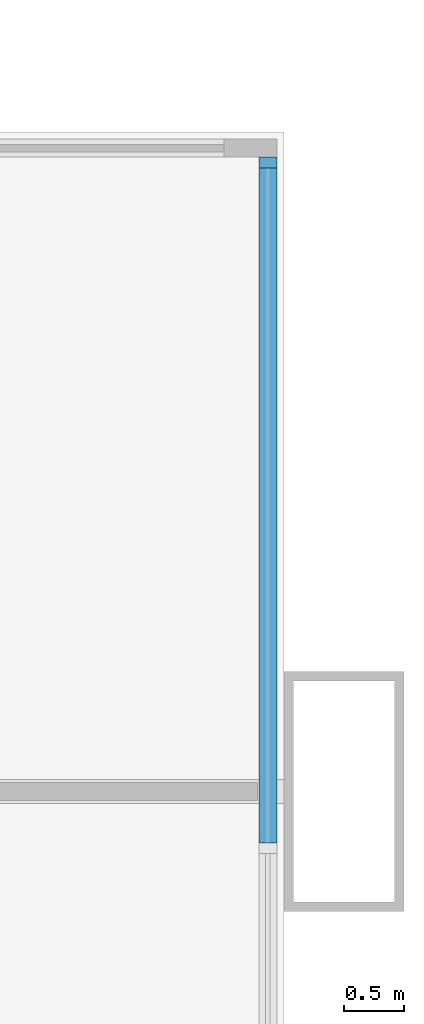
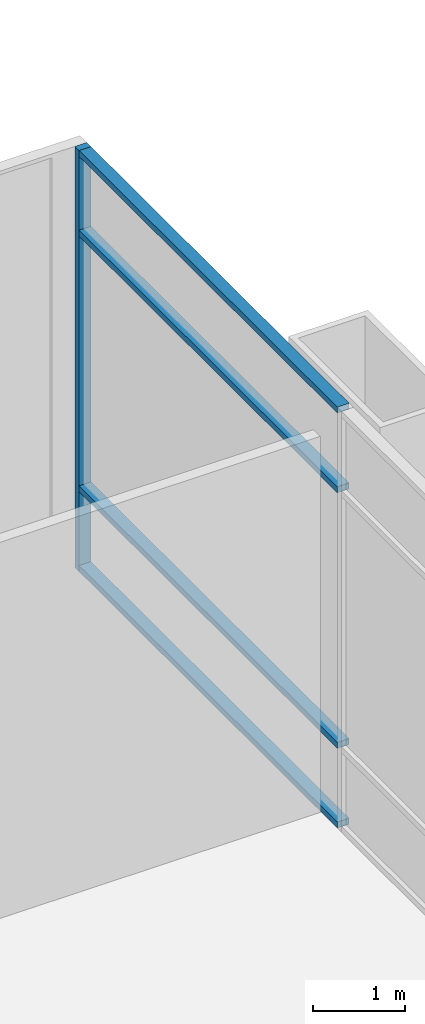
# One storey, part 14 of 25: 5 members, 1 element without a shape of its own.
"""IFC4 building model written with IfcOpenShell, lengths in metres."""

from ifc_helpers import new_model, si_unit, direction, frame, origin, origin_2d, place, context, subcontext, project, spatial, rectangle, extrude, material, material_profile, profile_set, type_object, element, aggregate, save


model = new_model("IFC4")

# Units and contexts
model_context = context("Model", 3, precision=1e-05, world=origin(), true_north=direction((0.0, 1.0)))
body_context = subcontext(model_context, "Body", "Model", "MODEL_VIEW")
ifc_project = project(units=[si_unit("LENGTHUNIT", "METRE"), si_unit("AREAUNIT", "SQUARE_METRE"), si_unit("VOLUMEUNIT", "CUBIC_METRE"), si_unit("PLANEANGLEUNIT", "RADIAN"), si_unit("MASSUNIT", "GRAM", prefix="KILO")], contexts=[model_context])

# Site, building, storey
site_placement = place(None, origin())
site = spatial("IfcSite", under=ifc_project, at=site_placement, CompositionType="ELEMENT")
building_placement = place(site_placement, origin())
building = spatial("IfcBuilding", under=site, at=building_placement, Name="Kitamizu Gate Tower and Museum", CompositionType="ELEMENT")
storey_placement = place(building_placement, frame((0.0, 0.0, 12.0)))
storey = spatial("IfcBuildingStorey", under=building, at=storey_placement, Name="L02", CompositionType="ELEMENT", Elevation=12.0)

# Curtain wall, members
ifc_material_1 = material(Name="Bronze anodised aluminium frame, tinted triple glazing", Category="aluminium")
curtain_wall_type = type_object("IfcCurtainWallType", Name="CURTAIN WALL TYPE A PODIUM", PredefinedType="NOTDEFINED", material=ifc_material_1)
curtain_wall_placement = place(storey_placement, origin())
curtain_wall = element("IfcCurtainWall", 1, at=curtain_wall_placement, inside=storey, type_object=curtain_wall_type, Name="Curtain wall CW-A east L02", PredefinedType="NOTDEFINED")
ifc_material_2 = material(Name="Bronze anodised aluminium", Category="aluminium")
ifc_material_profile_1 = material_profile(ifc_material_2, rectangle(XDim=0.090087890625, YDim=0.14990234375, at=origin_2d()), Name="AL 90X150")
ifc_profile_set_1 = profile_set([ifc_material_profile_1], Name="Bronze anodised aluminium")
member_type_1 = type_object("IfcMemberType", Name="MULLION 90 X 150 TYPE A", PredefinedType="MULLION", material=ifc_profile_set_1)
member_1_placement = place(storey_placement, frame((71.364990234375, 41.2451171875, 0.0), z_axis=(0.0, 0.0, 1.0), x_axis=(0.0, 1.0, 0.0)))
member_1 = element("IfcMember", 2, at=member_1_placement, type_object=member_type_1, Name="CW-A mullion 7", PredefinedType="MULLION", context=body_context, shape_type="SweptSolid", body=[
    extrude(rectangle(XDim=0.090087890625, YDim=0.14990234375, at=origin_2d()), origin(), (0.0, 0.0, 1.0), 5.60009765625),
])
ifc_material_3 = material(Name="Bronze anodised aluminium", Category="aluminium")
ifc_material_profile_2 = material_profile(ifc_material_3, rectangle(XDim=0.14990234375, YDim=0.080078125, at=origin_2d()), Name="AL 80X150")
ifc_profile_set_2 = profile_set([ifc_material_profile_2], Name="Bronze anodised aluminium")
member_type_2 = type_object("IfcMemberType", Name="TRANSOM 80 X 150 TYPE A", PredefinedType="USERDEFINED", material=ifc_profile_set_2)
member_2_placement = place(storey_placement, frame((71.364990234375, 35.57177734375, 0.0400390625), z_axis=(0.0, 1.0, 0.0), x_axis=(-1.0, 0.0, 0.0)))
member_2 = element("IfcMember", 3, at=member_2_placement, type_object=member_type_2, Name="CW-A transom 6.1", ObjectType="TRANSOM", PredefinedType="USERDEFINED", context=body_context, shape_type="SweptSolid", body=[
    extrude(rectangle(XDim=0.14990234375, YDim=0.080078125, at=origin_2d()), origin(), (0.0, 0.0, 1.0), 5.628173828125),
])
member_3_placement = place(storey_placement, frame((71.364990234375, 35.57177734375, 1.10009765625), z_axis=(0.0, 1.0, 0.0), x_axis=(-1.0, 0.0, 0.0)))
member_3 = element("IfcMember", 4, at=member_3_placement, type_object=member_type_2, Name="CW-A transom 6.2", ObjectType="TRANSOM", PredefinedType="USERDEFINED", context=body_context, shape_type="SweptSolid", body=[
    extrude(rectangle(XDim=0.14990234375, YDim=0.080078125, at=origin_2d()), origin(), (0.0, 0.0, 1.0), 5.628173828125),
])
member_4_placement = place(storey_placement, frame((71.364990234375, 35.57177734375, 4.5), z_axis=(0.0, 1.0, 0.0), x_axis=(-1.0, 0.0, 0.0)))
member_4 = element("IfcMember", 5, at=member_4_placement, type_object=member_type_2, Name="CW-A transom 6.3", ObjectType="TRANSOM", PredefinedType="USERDEFINED", context=body_context, shape_type="SweptSolid", body=[
    extrude(rectangle(XDim=0.14990234375, YDim=0.080078125, at=origin_2d()), origin(), (0.0, 0.0, 1.0), 5.628173828125),
])
member_5_placement = place(storey_placement, frame((71.364990234375, 35.57177734375, 5.56005859375), z_axis=(0.0, 1.0, 0.0), x_axis=(-1.0, 0.0, 0.0)))
member_5 = element("IfcMember", 6, at=member_5_placement, type_object=member_type_2, Name="CW-A transom 6.4", ObjectType="TRANSOM", PredefinedType="USERDEFINED", context=body_context, shape_type="SweptSolid", body=[
    extrude(rectangle(XDim=0.14990234375, YDim=0.080078125, at=origin_2d()), origin(), (0.0, 0.0, 1.0), 5.628173828125),
])
aggregate(curtain_wall, [member_1, member_2, member_3, member_4, member_5])

save(model, "model.ifc")
